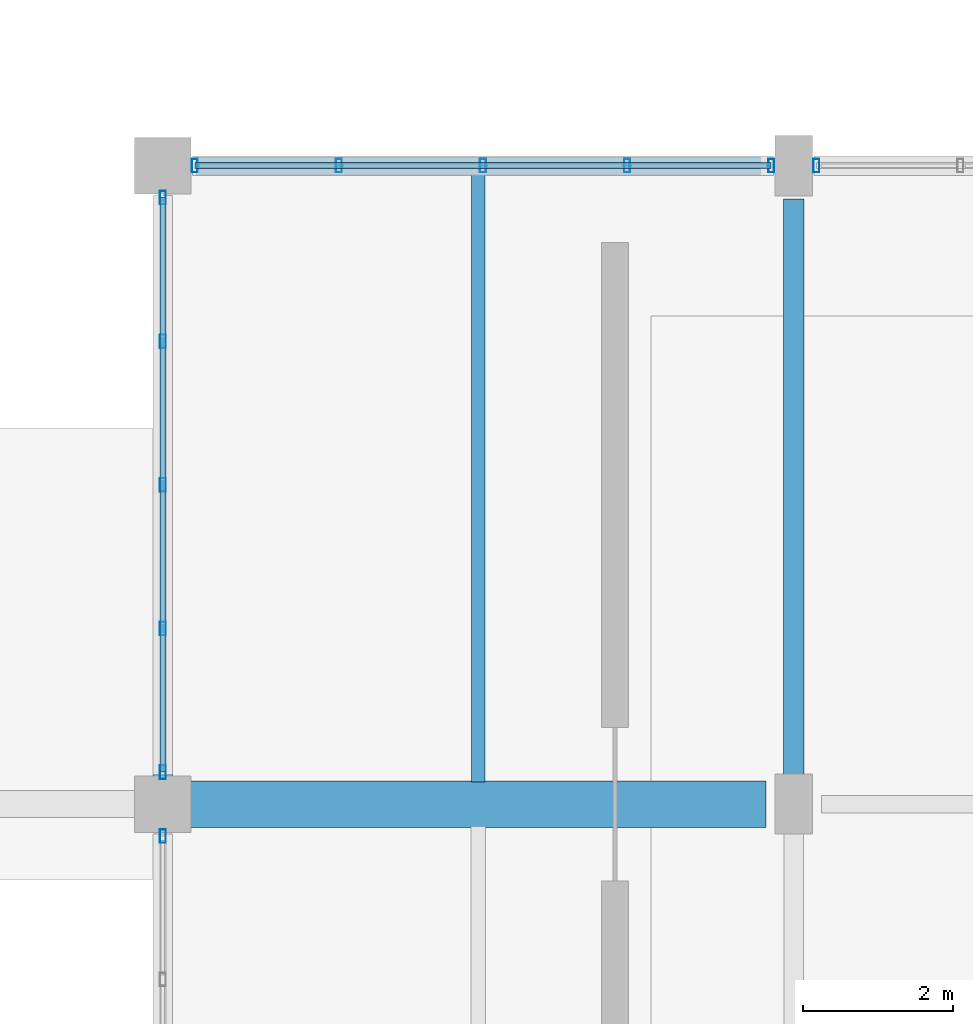
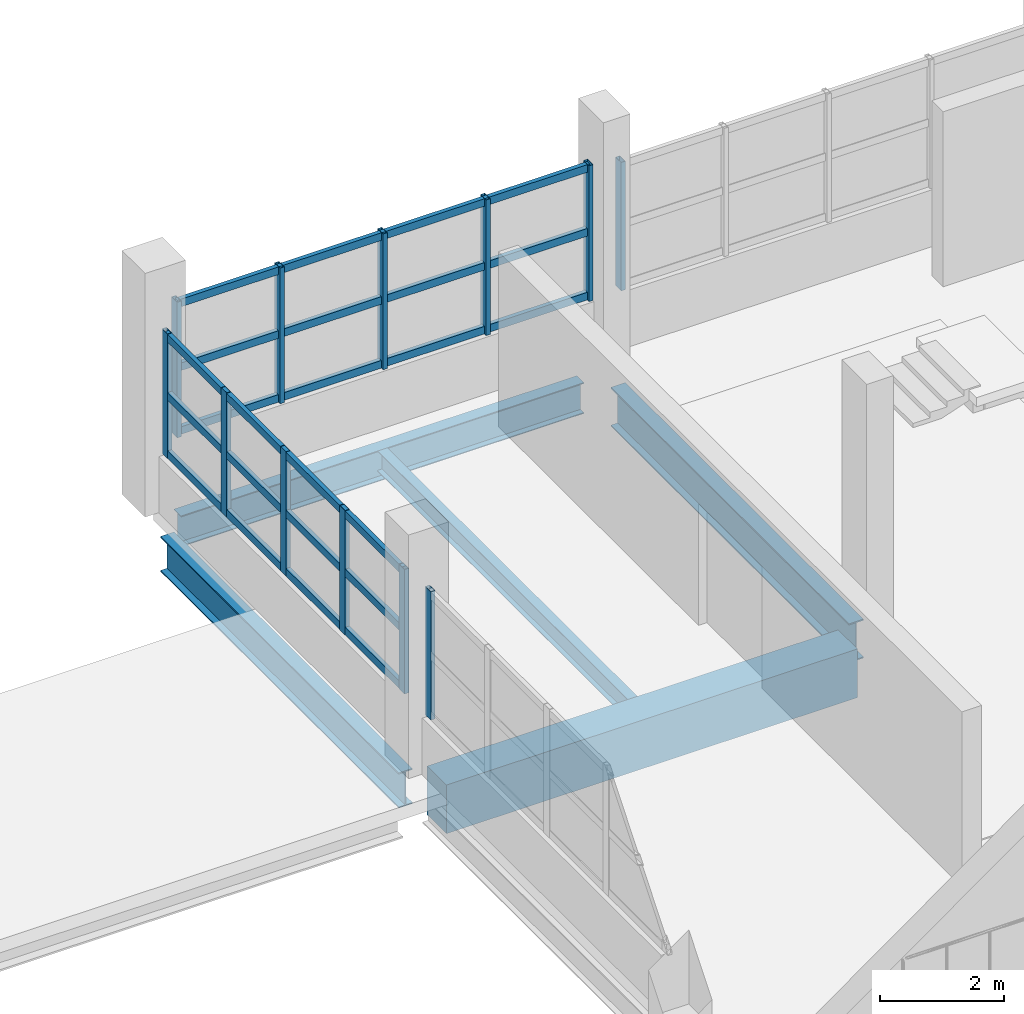
# One storey, part 51 of 117: 18 members, 5 beams, 4 elements without a shape of their own.
"""IFC4 building model written with IfcOpenShell, lengths in metres."""

from ifc_helpers import new_model, si_unit, direction, frame, origin, origin_2d, place, context, subcontext, project, spatial, rectangle, hollow_rectangle, i_section, extrude, material, material_profile, profile_set, type_object, element, aggregate, save


model = new_model("IFC4")

# Units and contexts
model_context = context("Model", 3, precision=1e-05, world=origin(), true_north=direction((0.0, 1.0)))
body_context = subcontext(model_context, "Body", "Model", "MODEL_VIEW")
ifc_project = project(units=[si_unit("LENGTHUNIT", "METRE"), si_unit("AREAUNIT", "SQUARE_METRE"), si_unit("VOLUMEUNIT", "CUBIC_METRE"), si_unit("PLANEANGLEUNIT", "RADIAN"), si_unit("MASSUNIT", "GRAM", prefix="KILO")], contexts=[model_context])

# Site, building, storey
site_placement = place(None, origin())
site = spatial("IfcSite", under=ifc_project, at=site_placement, CompositionType="ELEMENT")
building_placement = place(site_placement, origin())
building = spatial("IfcBuilding", under=site, at=building_placement, Name="Solvento Point Concert Hall", CompositionType="ELEMENT")
storey_placement = place(building_placement, frame((0.0, 0.0, 5.39990234375)))
storey = spatial("IfcBuildingStorey", under=building, at=storey_placement, Name="L01", CompositionType="ELEMENT", Elevation=5.39990234375)

# Beams
ifc_material_1 = material(Name="Structural Steel ASTM A992 Grade 50", Category="steel")
ifc_material_profile_1 = material_profile(ifc_material_1, i_section(OverallWidth=0.228515625, OverallDepth=0.60791015625, WebThickness=0.01123046875, FlangeThickness=0.017333984375, at=origin_2d()), Name="W24X76")
ifc_profile_set_1 = profile_set([ifc_material_profile_1], Name="Structural Steel ASTM A992 Grade 50")
beam_type_1 = type_object("IfcBeamType", Name="Beam_W24X76", PredefinedType="BEAM", material=ifc_profile_set_1)
beam_1_placement = place(storey_placement, frame((150.444091796875, 25.5, -0.727783203125), z_axis=(1.0, 0.0, 0.0), x_axis=(0.0, 1.0, 0.0)))
element("IfcBeam", 1, at=beam_1_placement, inside=storey, type_object=beam_type_1, Name="Primary girder B-42 L01", PredefinedType="BEAM", context=body_context, shape_type="SweptSolid", body=[
    extrude(i_section(OverallWidth=0.228515625, OverallDepth=0.60791015625, WebThickness=0.01123046875, FlangeThickness=0.017333984375, at=origin_2d()), origin(), (0.0, 0.0, 1.0), 7.511962890625),
])
ifc_material_2 = material(Name="Concrete C35/45", Category="concrete")
ifc_material_profile_2 = material_profile(ifc_material_2, rectangle(XDim=0.6201171875, YDim=0.9599609375, at=origin_2d()), Name="RC-BM-620X960")
ifc_profile_set_2 = profile_set([ifc_material_profile_2], Name="Concrete C35/45")
beam_type_2 = type_object("IfcBeamType", Name="Girder_RC_620x960", PredefinedType="USERDEFINED", material=ifc_profile_set_2)
beam_2_placement = place(storey_placement, frame((150.368896484375, 17.0, -0.90380859375), z_axis=(1.0, 0.0, 0.0), x_axis=(0.0, 1.0, 0.0)))
element("IfcBeam", 2, at=beam_2_placement, inside=storey, type_object=beam_type_2, Name="Primary girder B-69 L01", ObjectType="GIRDER", PredefinedType="USERDEFINED", context=body_context, shape_type="SweptSolid", body=[
    extrude(rectangle(XDim=0.6201171875, YDim=0.9599609375, at=origin_2d()), origin(), (0.0, 0.0, 1.0), 7.662109375),
])
ifc_material_3 = material(Name="Structural Steel ASTM A992 Grade 50", Category="steel")
ifc_material_profile_3 = material_profile(ifc_material_3, i_section(OverallWidth=0.256103515625, OverallDepth=0.693115234375, WebThickness=0.014404296875, FlangeThickness=0.023681640625, at=origin_2d()), Name="W27X114")
ifc_profile_set_3 = profile_set([ifc_material_profile_3], Name="Structural Steel ASTM A992 Grade 50")
beam_type_3 = type_object("IfcBeamType", Name="Girder_W27X114", PredefinedType="USERDEFINED", material=ifc_profile_set_3)
beam_3_placement = place(storey_placement, frame((150.0, 17.368896484375, -0.7705078125), z_axis=(0.0, 1.0, 0.0), x_axis=(-1.0, 0.0, 0.0)))
element("IfcBeam", 3, at=beam_3_placement, inside=storey, type_object=beam_type_3, Name="Primary girder B-23 L01", ObjectType="GIRDER", PredefinedType="USERDEFINED", context=body_context, shape_type="SweptSolid", body=[
    extrude(i_section(OverallWidth=0.256103515625, OverallDepth=0.693115234375, WebThickness=0.014404296875, FlangeThickness=0.023681640625, at=origin_2d()), origin(), (0.0, 0.0, 1.0), 7.68701171875),
])
ifc_material_4 = material(Name="Structural Steel ASTM A992 Grade 50", Category="steel")
ifc_material_profile_4 = material_profile(ifc_material_4, i_section(OverallWidth=0.26806640625, OverallDepth=0.77001953125, WebThickness=0.015625, FlangeThickness=0.025390625, at=origin_2d()), Name="W30X132")
ifc_profile_set_4 = profile_set([ifc_material_profile_4], Name="Structural Steel ASTM A992 Grade 50")
beam_type_4 = type_object("IfcBeamType", Name="Girder_W30X132", PredefinedType="USERDEFINED", material=ifc_profile_set_4)
beam_4_placement = place(storey_placement, frame((158.39990234375, 17.368896484375, -0.808837890625), z_axis=(0.0, 1.0, 0.0), x_axis=(-1.0, 0.0, 0.0)))
element("IfcBeam", 4, at=beam_4_placement, inside=storey, type_object=beam_type_4, Name="Primary girder B-68 L01", ObjectType="GIRDER", PredefinedType="USERDEFINED", context=body_context, shape_type="SweptSolid", body=[
    extrude(i_section(OverallWidth=0.26806640625, OverallDepth=0.77001953125, WebThickness=0.015625, FlangeThickness=0.025390625, at=origin_2d()), origin(), (0.0, 0.0, 1.0), 7.68701171875),
])
ifc_material_5 = material(Name="Structural Steel ASTM A992 Grade 50", Category="steel")
ifc_material_profile_5 = material_profile(ifc_material_5, i_section(OverallWidth=0.177490234375, OverallDepth=0.403076171875, WebThickness=0.007568359375, FlangeThickness=0.010986328125, at=origin_2d()), Name="W16X36")
ifc_profile_set_5 = profile_set([ifc_material_profile_5], Name="Structural Steel ASTM A992 Grade 50")
beam_type_5 = type_object("IfcBeamType", Name="Joist_W16X36", PredefinedType="JOIST", material=ifc_profile_set_5)
beam_5_placement = place(storey_placement, frame((154.199951171875, 17.294921875, -0.62548828125), z_axis=(0.0, 1.0, 0.0), x_axis=(-1.0, 0.0, 0.0)))
element("IfcBeam", 5, at=beam_5_placement, inside=storey, type_object=beam_type_5, Name="Secondary floor joist B-30 L01", PredefinedType="JOIST", context=body_context, shape_type="SweptSolid", body=[
    extrude(i_section(OverallWidth=0.177490234375, OverallDepth=0.403076171875, WebThickness=0.007568359375, FlangeThickness=0.010986328125, at=origin_2d()), origin(), (0.0, 0.0, 1.0), 8.10595703125),
])

# Curtain wall, member
ifc_material_6 = material(Name="Anodized Bronze Aluminium", Category="aluminium")
curtain_wall_type = type_object("IfcCurtainWallType", Name="CurtainWall_ChamberCircle", PredefinedType="USERDEFINED", material=ifc_material_6)
curtain_wall_1_placement = place(storey_placement, origin())
curtain_wall_1 = element("IfcCurtainWall", 6, at=curtain_wall_1_placement, inside=storey, type_object=curtain_wall_type, Name="Unitised curtain wall CW-32 UCW-L01-074", ObjectType="UNITISED CURTAIN WALL", PredefinedType="USERDEFINED")
ifc_material_7 = material(Name="Anodized Bronze Aluminium", Category="aluminium")
ifc_material_profile_6 = material_profile(ifc_material_7, hollow_rectangle(XDim=0.080078125, YDim=0.179931640625, WallThickness=0.00390625, at=origin_2d()), Name="CW-MUL-80X180")
ifc_profile_set_6 = profile_set([ifc_material_profile_6], Name="Anodized Bronze Aluminium")
member_type_1 = type_object("IfcMemberType", Name="Mullion_80x180", PredefinedType="MULLION", material=ifc_profile_set_6)
member_1_placement = place(storey_placement, frame((150.0, 16.574951171875, 1.1201171875), z_axis=(0.0, 0.0, 1.0), x_axis=(1.0, 0.0, 0.0)))
member_1 = element("IfcMember", 7, at=member_1_placement, type_object=member_type_1, Name="Curtain wall mullion ML-01", PredefinedType="MULLION", context=body_context, shape_type="SweptSolid", body=[
    extrude(hollow_rectangle(XDim=0.080078125, YDim=0.179931640625, WallThickness=0.00390625, at=origin_2d()), origin(), (0.0, 0.0, 1.0), 2.531005859375),
])
aggregate(curtain_wall_1, [member_1])

# Curtain wall, members
curtain_wall_2_placement = place(storey_placement, origin())
curtain_wall_2 = element("IfcCurtainWall", 8, at=curtain_wall_2_placement, inside=storey, type_object=curtain_wall_type, Name="Unitised curtain wall CW-32 UCW-L01-075", ObjectType="UNITISED CURTAIN WALL", PredefinedType="USERDEFINED")
member_2_placement = place(storey_placement, frame((150.0, 17.425048828125, 1.1201171875), z_axis=(0.0, 0.0, 1.0), x_axis=(1.0, 0.0, 0.0)))
member_2 = element("IfcMember", 9, at=member_2_placement, type_object=member_type_1, Name="Curtain wall mullion ML-01", PredefinedType="MULLION", context=body_context, shape_type="SweptSolid", body=[
    extrude(hollow_rectangle(XDim=0.080078125, YDim=0.179931640625, WallThickness=0.00390625, at=origin_2d()), origin(), (0.0, 0.0, 1.0), 2.4541015625),
])
member_3_placement = place(storey_placement, frame((150.0, 19.33740234375, 1.1201171875), z_axis=(0.0, 0.0, 1.0), x_axis=(1.0, 0.0, 0.0)))
member_3 = element("IfcMember", 10, at=member_3_placement, type_object=member_type_1, Name="Curtain wall mullion ML-01", PredefinedType="MULLION", context=body_context, shape_type="SweptSolid", body=[
    extrude(hollow_rectangle(XDim=0.080078125, YDim=0.179931640625, WallThickness=0.00390625, at=origin_2d()), origin(), (0.0, 0.0, 1.0), 2.4541015625),
])
member_4_placement = place(storey_placement, frame((150.0, 21.25, 1.1201171875), z_axis=(0.0, 0.0, 1.0), x_axis=(1.0, 0.0, 0.0)))
member_4 = element("IfcMember", 11, at=member_4_placement, type_object=member_type_1, Name="Curtain wall mullion ML-01", PredefinedType="MULLION", context=body_context, shape_type="SweptSolid", body=[
    extrude(hollow_rectangle(XDim=0.080078125, YDim=0.179931640625, WallThickness=0.00390625, at=origin_2d()), origin(), (0.0, 0.0, 1.0), 2.4541015625),
])
member_5_placement = place(storey_placement, frame((150.0, 23.16259765625, 1.1201171875), z_axis=(0.0, 0.0, 1.0), x_axis=(1.0, 0.0, 0.0)))
member_5 = element("IfcMember", 12, at=member_5_placement, type_object=member_type_1, Name="Curtain wall mullion ML-01", PredefinedType="MULLION", context=body_context, shape_type="SweptSolid", body=[
    extrude(hollow_rectangle(XDim=0.080078125, YDim=0.179931640625, WallThickness=0.00390625, at=origin_2d()), origin(), (0.0, 0.0, 1.0), 2.4541015625),
])
member_6_placement = place(storey_placement, frame((150.0, 25.074951171875, 1.1201171875), z_axis=(0.0, 0.0, 1.0), x_axis=(1.0, 0.0, 0.0)))
member_6 = element("IfcMember", 13, at=member_6_placement, type_object=member_type_1, Name="Curtain wall mullion ML-01", PredefinedType="MULLION", context=body_context, shape_type="SweptSolid", body=[
    extrude(hollow_rectangle(XDim=0.080078125, YDim=0.179931640625, WallThickness=0.00390625, at=origin_2d()), origin(), (0.0, 0.0, 1.0), 2.4541015625),
])

curtain_wall_3_placement = place(storey_placement, origin())
curtain_wall_3 = element("IfcCurtainWall", 14, at=curtain_wall_3_placement, inside=storey, type_object=curtain_wall_type, Name="Unitised curtain wall CW-32 UCW-L01-076", ObjectType="UNITISED CURTAIN WALL", PredefinedType="USERDEFINED")
member_7_placement = place(storey_placement, frame((150.425048828125, 25.5, 1.1201171875), z_axis=(0.0, 0.0, 1.0), x_axis=(1.0, 0.0, 0.0)))
member_7 = element("IfcMember", 15, at=member_7_placement, type_object=member_type_1, Name="Curtain wall mullion ML-01", PredefinedType="MULLION", context=body_context, shape_type="SweptSolid", body=[
    extrude(hollow_rectangle(XDim=0.080078125, YDim=0.179931640625, WallThickness=0.00390625, at=origin_2d()), origin(), (0.0, 0.0, 1.0), 2.675048828125),
])
member_8_placement = place(storey_placement, frame((152.34375, 25.5, 1.1201171875), z_axis=(0.0, 0.0, 1.0), x_axis=(1.0, 0.0, 0.0)))
member_8 = element("IfcMember", 16, at=member_8_placement, type_object=member_type_1, Name="Curtain wall mullion ML-01", PredefinedType="MULLION", context=body_context, shape_type="SweptSolid", body=[
    extrude(hollow_rectangle(XDim=0.080078125, YDim=0.179931640625, WallThickness=0.00390625, at=origin_2d()), origin(), (0.0, 0.0, 1.0), 2.675048828125),
])
member_9_placement = place(storey_placement, frame((154.262451171875, 25.5, 1.1201171875), z_axis=(0.0, 0.0, 1.0), x_axis=(1.0, 0.0, 0.0)))
member_9 = element("IfcMember", 17, at=member_9_placement, type_object=member_type_1, Name="Curtain wall mullion ML-01", PredefinedType="MULLION", context=body_context, shape_type="SweptSolid", body=[
    extrude(hollow_rectangle(XDim=0.080078125, YDim=0.179931640625, WallThickness=0.00390625, at=origin_2d()), origin(), (0.0, 0.0, 1.0), 2.675048828125),
])
member_10_placement = place(storey_placement, frame((156.181396484375, 25.5, 1.1201171875), z_axis=(0.0, 0.0, 1.0), x_axis=(1.0, 0.0, 0.0)))
member_10 = element("IfcMember", 18, at=member_10_placement, type_object=member_type_1, Name="Curtain wall mullion ML-01", PredefinedType="MULLION", context=body_context, shape_type="SweptSolid", body=[
    extrude(hollow_rectangle(XDim=0.080078125, YDim=0.179931640625, WallThickness=0.00390625, at=origin_2d()), origin(), (0.0, 0.0, 1.0), 2.675048828125),
])
member_11_placement = place(storey_placement, frame((158.10009765625, 25.5, 1.1201171875), z_axis=(0.0, 0.0, 1.0), x_axis=(1.0, 0.0, 0.0)))
member_11 = element("IfcMember", 19, at=member_11_placement, type_object=member_type_1, Name="Curtain wall mullion ML-01", PredefinedType="MULLION", context=body_context, shape_type="SweptSolid", body=[
    extrude(hollow_rectangle(XDim=0.080078125, YDim=0.179931640625, WallThickness=0.00390625, at=origin_2d()), origin(), (0.0, 0.0, 1.0), 2.675048828125),
])

# Curtain wall, member
curtain_wall_4_placement = place(storey_placement, origin())
curtain_wall_4 = element("IfcCurtainWall", 20, at=curtain_wall_4_placement, inside=storey, type_object=curtain_wall_type, Name="Unitised curtain wall CW-32 UCW-L01-077", ObjectType="UNITISED CURTAIN WALL", PredefinedType="USERDEFINED")
member_12_placement = place(storey_placement, frame((158.699951171875, 25.5, 1.1201171875), z_axis=(0.0, 0.0, 1.0), x_axis=(1.0, 0.0, 0.0)))
member_12 = element("IfcMember", 21, at=member_12_placement, type_object=member_type_1, Name="Curtain wall mullion ML-01", PredefinedType="MULLION", context=body_context, shape_type="SweptSolid", body=[
    extrude(hollow_rectangle(XDim=0.080078125, YDim=0.179931640625, WallThickness=0.00390625, at=origin_2d()), origin(), (0.0, 0.0, 1.0), 2.531005859375),
])
aggregate(curtain_wall_4, [member_12])

# Member
ifc_material_8 = material(Name="Anodized Bronze Aluminium", Category="aluminium")
ifc_material_profile_7 = material_profile(ifc_material_8, hollow_rectangle(XDim=0.080078125, YDim=0.14990234375, WallThickness=0.00390625, at=origin_2d()), Name="CW-TRN-80X150")
ifc_profile_set_7 = profile_set([ifc_material_profile_7], Name="Anodized Bronze Aluminium")
member_type_2 = type_object("IfcMemberType", Name="Transom_80x150", PredefinedType="USERDEFINED", material=ifc_profile_set_7)
member_13_placement = place(storey_placement, frame((150.0, 17.425048828125, 1.2001953125), z_axis=(0.0, 1.0, 0.0), x_axis=(-1.0, 0.0, 0.0)))
member_13 = element("IfcMember", 22, at=member_13_placement, type_object=member_type_2, Name="Curtain wall transom TR-01", ObjectType="TRANSOM", PredefinedType="USERDEFINED", context=body_context, shape_type="SweptSolid", body=[
    extrude(hollow_rectangle(XDim=0.080078125, YDim=0.14990234375, WallThickness=0.00390625, at=origin_2d()), origin(), (0.0, 0.0, 1.0), 7.64990234375),
])

member_14_placement = place(storey_placement, frame((150.0, 17.425048828125, 2.34716796875), z_axis=(0.0, 1.0, 0.0), x_axis=(-1.0, 0.0, 0.0)))
member_14 = element("IfcMember", 23, at=member_14_placement, type_object=member_type_2, Name="Curtain wall transom TR-01", ObjectType="TRANSOM", PredefinedType="USERDEFINED", context=body_context, shape_type="SweptSolid", body=[
    extrude(hollow_rectangle(XDim=0.080078125, YDim=0.14990234375, WallThickness=0.00390625, at=origin_2d()), origin(), (0.0, 0.0, 1.0), 7.64990234375),
])

member_15_placement = place(storey_placement, frame((150.0, 17.425048828125, 3.494140625), z_axis=(0.0, 1.0, 0.0), x_axis=(-1.0, 0.0, 0.0)))
member_15 = element("IfcMember", 24, at=member_15_placement, type_object=member_type_2, Name="Curtain wall transom TR-01", ObjectType="TRANSOM", PredefinedType="USERDEFINED", context=body_context, shape_type="SweptSolid", body=[
    extrude(hollow_rectangle(XDim=0.080078125, YDim=0.14990234375, WallThickness=0.00390625, at=origin_2d()), origin(), (0.0, 0.0, 1.0), 7.64990234375),
])

aggregate(curtain_wall_2, [member_2, member_3, member_4, member_5, member_6, member_13, member_14, member_15])

member_16_placement = place(storey_placement, frame((150.425048828125, 25.5, 1.2001953125), z_axis=(1.0, 0.0, 0.0), x_axis=(0.0, 1.0, 0.0)))
member_16 = element("IfcMember", 25, at=member_16_placement, type_object=member_type_2, Name="Curtain wall transom TR-01", ObjectType="TRANSOM", PredefinedType="USERDEFINED", context=body_context, shape_type="SweptSolid", body=[
    extrude(hollow_rectangle(XDim=0.080078125, YDim=0.14990234375, WallThickness=0.00390625, at=origin_2d()), origin(), (0.0, 0.0, 1.0), 7.675048828125),
])

member_17_placement = place(storey_placement, frame((150.425048828125, 25.5, 2.45751953125), z_axis=(1.0, 0.0, 0.0), x_axis=(0.0, 1.0, 0.0)))
member_17 = element("IfcMember", 26, at=member_17_placement, type_object=member_type_2, Name="Curtain wall transom TR-01", ObjectType="TRANSOM", PredefinedType="USERDEFINED", context=body_context, shape_type="SweptSolid", body=[
    extrude(hollow_rectangle(XDim=0.080078125, YDim=0.14990234375, WallThickness=0.00390625, at=origin_2d()), origin(), (0.0, 0.0, 1.0), 7.675048828125),
])

member_18_placement = place(storey_placement, frame((150.425048828125, 25.5, 3.715087890625), z_axis=(1.0, 0.0, 0.0), x_axis=(0.0, 1.0, 0.0)))
member_18 = element("IfcMember", 27, at=member_18_placement, type_object=member_type_2, Name="Curtain wall transom TR-01", ObjectType="TRANSOM", PredefinedType="USERDEFINED", context=body_context, shape_type="SweptSolid", body=[
    extrude(hollow_rectangle(XDim=0.080078125, YDim=0.14990234375, WallThickness=0.00390625, at=origin_2d()), origin(), (0.0, 0.0, 1.0), 7.675048828125),
])

aggregate(curtain_wall_3, [member_7, member_8, member_9, member_10, member_11, member_16, member_17, member_18])

save(model, "model.ifc")
